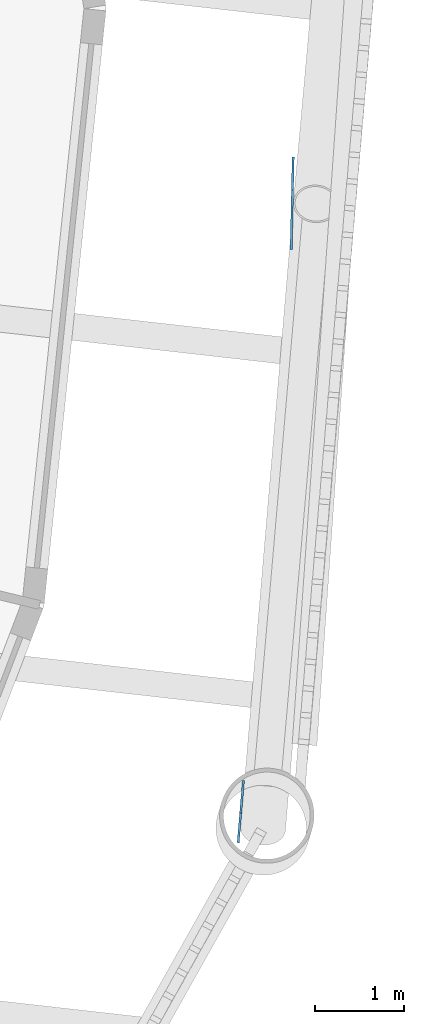
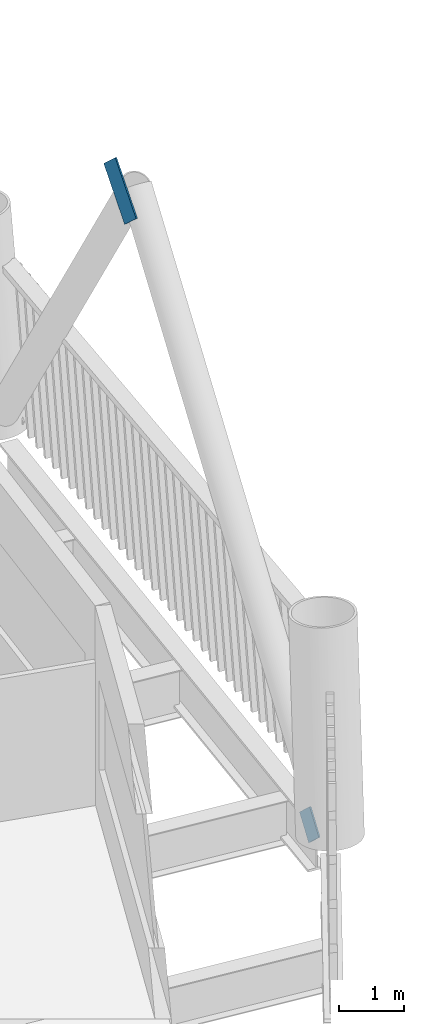
# One storey, part 10 of 22: 2 discrete accessories.
"""IFC4 building model written with IfcOpenShell, lengths in metres."""

from ifc_helpers import new_model, si_unit, direction, frame, origin, origin_2d, place, context, subcontext, project, spatial, rectangle, extrude, material, material_profile, profile_set, type_object, element, save


model = new_model("IFC4")

# Units and contexts
model_context = context("Model", 3, precision=1e-05, world=origin(), true_north=direction((0.0, 1.0)))
body_context = subcontext(model_context, "Body", "Model", "MODEL_VIEW")
ifc_project = project(units=[si_unit("LENGTHUNIT", "METRE"), si_unit("AREAUNIT", "SQUARE_METRE"), si_unit("VOLUMEUNIT", "CUBIC_METRE"), si_unit("PLANEANGLEUNIT", "RADIAN"), si_unit("MASSUNIT", "GRAM", prefix="KILO")], contexts=[model_context])

# Site, building, storey
site_placement = place(None, origin())
site = spatial("IfcSite", under=ifc_project, at=site_placement, CompositionType="ELEMENT")
building_placement = place(site_placement, origin())
building = spatial("IfcBuilding", under=site, at=building_placement, Name="Tarsis Ring Headquarters", CompositionType="ELEMENT")
storey_placement = place(building_placement, frame((0.0, 0.0, 200.39990234375)))
storey = spatial("IfcBuildingStorey", under=building, at=storey_placement, Name="L46", CompositionType="ELEMENT", Elevation=200.39990234375)

# Discrete accessories
ifc_material = material(Name="Structural steel S355", Category="steel")
ifc_material_profile = material_profile(ifc_material, rectangle(XDim=0.02490234375, YDim=0.5, at=origin_2d()), Name="PL 25x500")
ifc_profile_set = profile_set([ifc_material_profile], Name="Structural steel S355")
discrete_accessory_type = type_object("IfcDiscreteAccessoryType", Name="Gusset plate Exo brace 25", PredefinedType="BRACKET", material=ifc_profile_set)
discrete_accessory_1_placement = place(storey_placement, frame((27.4951171875, -8.531005859375, 0.0), z_axis=(0.056640071337, 0.669427050024, 0.740715415672), x_axis=(-0.996439697376, 0.084308537488, 0.0)))
element("IfcDiscreteAccessory", 1, at=discrete_accessory_1_placement, inside=storey, type_object=discrete_accessory_type, Name="Gusset plate GP5", PredefinedType="BRACKET", context=body_context, shape_type="SweptSolid", body=[
    extrude(rectangle(XDim=0.02490234375, YDim=0.5, at=origin_2d()), origin(), (0.0, 0.0, 1.0), 0.5),
])
discrete_accessory_2_placement = place(storey_placement, frame((28.08203125, -1.8330078125, 7.4296875), z_axis=(0.014646236001, 0.67177402456, 0.740611333763), x_axis=(-0.999762413997, 0.021797145654, 0.0)))
element("IfcDiscreteAccessory", 2, at=discrete_accessory_2_placement, inside=storey, type_object=discrete_accessory_type, Name="Gusset plate GP5", PredefinedType="BRACKET", context=body_context, shape_type="SweptSolid", body=[
    extrude(rectangle(XDim=0.02490234375, YDim=0.5, at=origin_2d()), origin(), (0.0, 0.0, 1.0), 1.000244140625),
])

save(model, "model.ifc")
